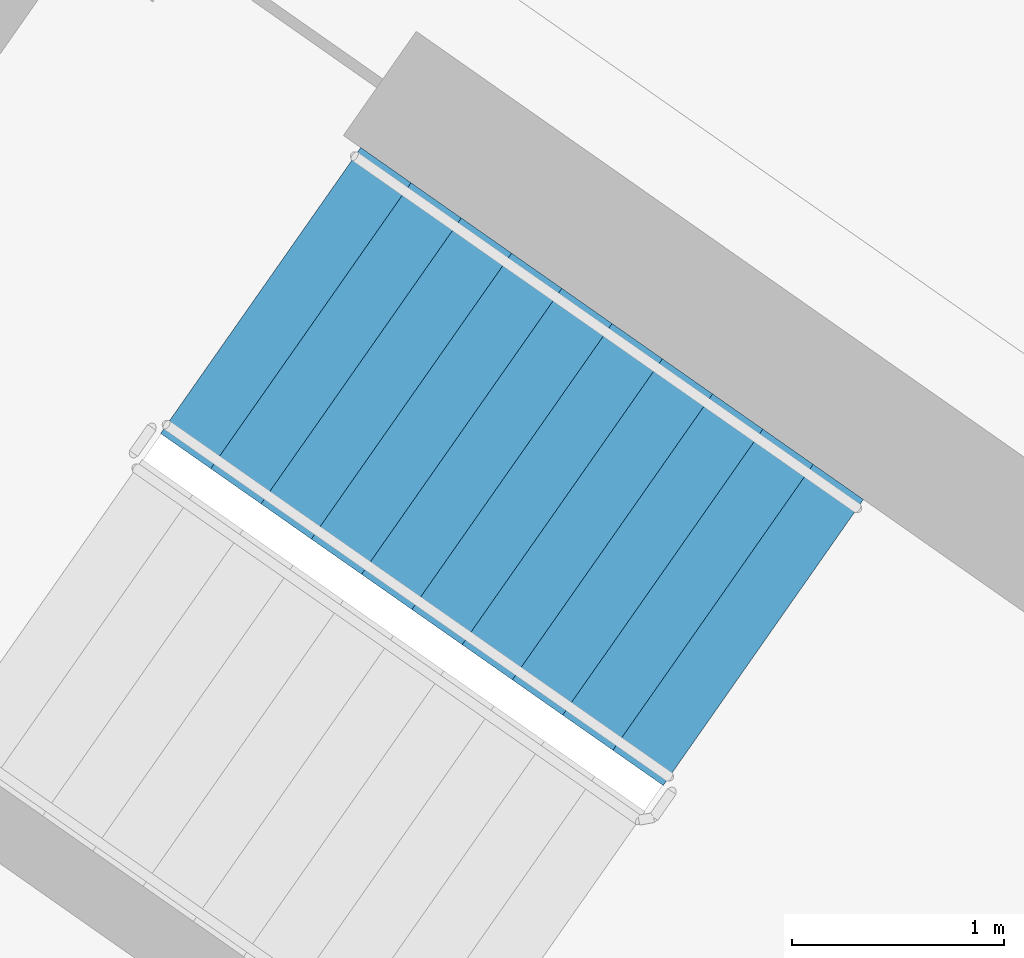
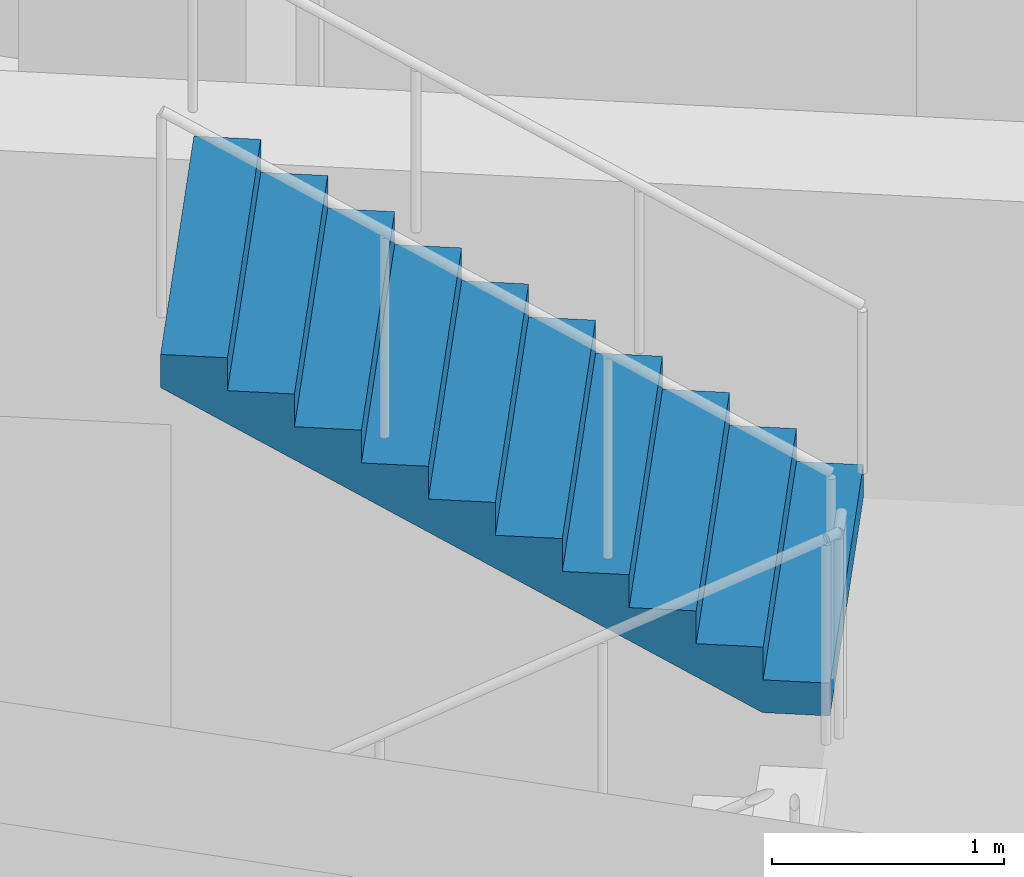
# One storey, part 11 of 30: 1 stair flight, 1 element without a shape of its own.
"""IFC4 building model written with IfcOpenShell, lengths in metres."""

from ifc_helpers import new_model, si_unit, direction, frame, origin, place, context, subcontext, project, spatial, faceted_brep, material, type_object, element, aggregate, save


model = new_model("IFC4")

# Units and contexts
model_context = context("Model", 3, precision=1e-05, world=origin(), true_north=direction((0.0, 1.0)))
body_context = subcontext(model_context, "Body", "Model", "MODEL_VIEW")
ifc_project = project(units=[si_unit("LENGTHUNIT", "METRE"), si_unit("AREAUNIT", "SQUARE_METRE"), si_unit("VOLUMEUNIT", "CUBIC_METRE"), si_unit("PLANEANGLEUNIT", "RADIAN"), si_unit("MASSUNIT", "GRAM", prefix="KILO")], contexts=[model_context])

# Site, building, storey
site_placement = place(None, origin())
site = spatial("IfcSite", under=ifc_project, at=site_placement, CompositionType="ELEMENT")
building_placement = place(site_placement, origin())
building = spatial("IfcBuilding", under=site, at=building_placement, Name="Qamariyya Broadcast Tower", CompositionType="ELEMENT")
storey_placement = place(building_placement, frame((0.0, 0.0, 203.699951171875)))
storey = spatial("IfcBuildingStorey", under=building, at=storey_placement, Name="L48", CompositionType="ELEMENT", Elevation=203.699951171875)

# Stair, stair flight
ifc_material = material(Name="Concrete C50/60", Category="concrete")
stair_type = type_object("IfcStairType", Name="Exit stair 22 risers of 173 mm", PredefinedType="HALF_TURN_STAIR", material=ifc_material)
stair_placement = place(storey_placement, origin())
stair = element("IfcStair", 1, at=stair_placement, inside=storey, type_object=stair_type, Name="L48 Stair W2", PredefinedType="HALF_TURN_STAIR")
stair_flight_type = type_object("IfcStairFlightType", Name="Exit stair flight 11 risers of 173 mm", PredefinedType="STRAIGHT", material=ifc_material)
stair_flight_placement = place(storey_placement, frame((-38.18310546875, -49.3486328125, 1.900146484375), z_axis=(0.0, 0.0, 1.0), x_axis=(-0.819152044289, 0.573576436351, 0.0)))
stair_flight = element("IfcStairFlight", 2, at=stair_flight_placement, type_object=stair_flight_type, Name="ST-W2 flight 2", NumberOfRisers=11, NumberOfTreads=10, PredefinedType="STRAIGHT", RiserHeight=0.172727273, TreadLength=0.29, context=body_context, shape_type="Brep", body=[
    faceted_brep([(0.0, 0.824951171875, 0.0), (0.0, 0.824951171875, 0.172607421875), (0.2900390625, 0.824951171875, 0.172607421875), (0.2900390625, 0.824951171875, 0.345458984375), (0.580078125, 0.824951171875, 0.345458984375), (0.580078125, 0.824951171875, 0.51806640625), (0.8701171875, 0.824951171875, 0.51806640625), (0.8701171875, 0.824951171875, 0.69091796875), (1.159912109375, 0.824951171875, 0.69091796875), (1.159912109375, 0.824951171875, 0.863525390625), (1.449951171875, 0.824951171875, 0.863525390625), (1.449951171875, 0.824951171875, 1.036376953125), (1.739990234375, 0.824951171875, 1.036376953125), (1.739990234375, 0.824951171875, 1.208984375), (2.030029296875, 0.824951171875, 1.208984375), (2.030029296875, 0.824951171875, 1.3818359375), (2.320068359375, 0.824951171875, 1.3818359375), (2.320068359375, 0.824951171875, 1.554443359375), (2.610107421875, 0.824951171875, 1.554443359375), (2.610107421875, 0.824951171875, 1.727294921875), (2.89990234375, 0.824951171875, 1.727294921875), (2.89990234375, 0.824951171875, 1.552734375), (0.29296875, 0.824951171875, 0.0), (0.29296875, -0.824951171875, 0.0), (2.89990234375, -0.824951171875, 1.552734375), (2.89990234375, -0.824951171875, 1.727294921875), (2.610107421875, -0.824951171875, 1.727294921875), (2.610107421875, -0.824951171875, 1.554443359375), (2.320068359375, -0.824951171875, 1.554443359375), (2.320068359375, -0.824951171875, 1.3818359375), (2.030029296875, -0.824951171875, 1.3818359375), (2.030029296875, -0.824951171875, 1.208984375), (1.739990234375, -0.824951171875, 1.208984375), (1.739990234375, -0.824951171875, 1.036376953125), (1.449951171875, -0.824951171875, 1.036376953125), (1.449951171875, -0.824951171875, 0.863525390625), (1.159912109375, -0.824951171875, 0.863525390625), (1.159912109375, -0.824951171875, 0.69091796875), (0.8701171875, -0.824951171875, 0.69091796875), (0.8701171875, -0.824951171875, 0.51806640625), (0.580078125, -0.824951171875, 0.51806640625), (0.580078125, -0.824951171875, 0.345458984375), (0.2900390625, -0.824951171875, 0.345458984375), (0.2900390625, -0.824951171875, 0.172607421875), (0.0, -0.824951171875, 0.172607421875), (0.0, -0.824951171875, 0.0), (0.0, 0.10009765625, 0.0), (0.0, 0.086669921875, 0.0), (0.0, 0.0732421875, 0.0), (0.0, 0.06005859375, 0.0), (0.0, 0.046630859375, 0.0), (0.0, 0.033447265625, 0.0), (0.0, 0.02001953125, 0.0), (0.0, 0.006591796875, 0.0), (0.0, -0.006591796875, 0.0), (0.0, -0.02001953125, 0.0), (0.0, -0.033447265625, 0.0), (0.0, -0.046630859375, 0.0), (0.0, -0.06005859375, 0.0), (0.0, -0.0732421875, 0.0), (0.0, -0.086669921875, 0.0), (0.0, -0.10009765625, 0.0), (0.0, -0.10009765625, 0.172607421875), (0.0, -0.086669921875, 0.172607421875), (0.0, -0.0732421875, 0.172607421875), (0.0, -0.06005859375, 0.172607421875), (0.0, -0.046630859375, 0.172607421875), (0.0, -0.033447265625, 0.172607421875), (0.0, -0.02001953125, 0.172607421875), (0.0, -0.006591796875, 0.172607421875), (0.0, 0.006591796875, 0.172607421875), (0.0, 0.02001953125, 0.172607421875), (0.0, 0.033447265625, 0.172607421875), (0.0, 0.046630859375, 0.172607421875), (0.0, 0.06005859375, 0.172607421875), (0.0, 0.0732421875, 0.172607421875), (0.0, 0.086669921875, 0.172607421875), (0.0, 0.10009765625, 0.172607421875), (0.2900390625, -0.10009765625, 0.172607421875), (0.2900390625, -0.086669921875, 0.172607421875), (0.2900390625, -0.0732421875, 0.172607421875), (0.2900390625, -0.06005859375, 0.172607421875), (0.2900390625, -0.046630859375, 0.172607421875), (0.2900390625, -0.033447265625, 0.172607421875), (0.2900390625, -0.02001953125, 0.172607421875), (0.2900390625, -0.006591796875, 0.172607421875), (0.2900390625, 0.006591796875, 0.172607421875), (0.2900390625, 0.02001953125, 0.172607421875), (0.2900390625, 0.033447265625, 0.172607421875), (0.2900390625, 0.046630859375, 0.172607421875), (0.2900390625, 0.06005859375, 0.172607421875), (0.2900390625, 0.0732421875, 0.172607421875), (0.2900390625, 0.086669921875, 0.172607421875), (0.2900390625, 0.10009765625, 0.172607421875), (0.2900390625, -0.10009765625, 0.345458984375), (0.2900390625, -0.086669921875, 0.345458984375), (0.2900390625, -0.0732421875, 0.345458984375), (0.2900390625, -0.06005859375, 0.345458984375), (0.2900390625, -0.046630859375, 0.345458984375), (0.2900390625, -0.033447265625, 0.345458984375), (0.2900390625, -0.02001953125, 0.345458984375), (0.2900390625, -0.006591796875, 0.345458984375), (0.2900390625, 0.006591796875, 0.345458984375), (0.2900390625, 0.02001953125, 0.345458984375), (0.2900390625, 0.033447265625, 0.345458984375), (0.2900390625, 0.046630859375, 0.345458984375), (0.2900390625, 0.06005859375, 0.345458984375), (0.2900390625, 0.0732421875, 0.345458984375), (0.2900390625, 0.086669921875, 0.345458984375), (0.2900390625, 0.10009765625, 0.345458984375), (0.580078125, -0.10009765625, 0.345458984375), (0.580078125, -0.086669921875, 0.345458984375), (0.580078125, -0.0732421875, 0.345458984375), (0.580078125, -0.06005859375, 0.345458984375), (0.580078125, -0.046630859375, 0.345458984375), (0.580078125, -0.033447265625, 0.345458984375), (0.580078125, -0.02001953125, 0.345458984375), (0.580078125, -0.006591796875, 0.345458984375), (0.580078125, 0.006591796875, 0.345458984375), (0.580078125, 0.02001953125, 0.345458984375), (0.580078125, 0.033447265625, 0.345458984375), (0.580078125, 0.046630859375, 0.345458984375), (0.580078125, 0.06005859375, 0.345458984375), (0.580078125, 0.0732421875, 0.345458984375), (0.580078125, 0.086669921875, 0.345458984375), (0.580078125, 0.10009765625, 0.345458984375), (0.580078125, -0.10009765625, 0.51806640625), (0.580078125, -0.086669921875, 0.51806640625), (0.580078125, -0.0732421875, 0.51806640625), (0.580078125, -0.06005859375, 0.51806640625), (0.580078125, -0.046630859375, 0.51806640625), (0.580078125, -0.033447265625, 0.51806640625), (0.580078125, -0.02001953125, 0.51806640625), (0.580078125, -0.006591796875, 0.51806640625), (0.580078125, 0.006591796875, 0.51806640625), (0.580078125, 0.02001953125, 0.51806640625), (0.580078125, 0.033447265625, 0.51806640625), (0.580078125, 0.046630859375, 0.51806640625), (0.580078125, 0.06005859375, 0.51806640625), (0.580078125, 0.0732421875, 0.51806640625), (0.580078125, 0.086669921875, 0.51806640625), (0.580078125, 0.10009765625, 0.51806640625), (0.8701171875, -0.10009765625, 0.51806640625), (0.8701171875, -0.086669921875, 0.51806640625), (0.8701171875, -0.0732421875, 0.51806640625), (0.8701171875, -0.06005859375, 0.51806640625), (0.8701171875, -0.046630859375, 0.51806640625), (0.8701171875, -0.033447265625, 0.51806640625), (0.8701171875, -0.02001953125, 0.51806640625), (0.8701171875, -0.006591796875, 0.51806640625), (0.8701171875, 0.006591796875, 0.51806640625), (0.8701171875, 0.02001953125, 0.51806640625), (0.8701171875, 0.033447265625, 0.51806640625), (0.8701171875, 0.046630859375, 0.51806640625), (0.8701171875, 0.06005859375, 0.51806640625), (0.8701171875, 0.0732421875, 0.51806640625), (0.8701171875, 0.086669921875, 0.51806640625), (0.8701171875, 0.10009765625, 0.51806640625), (0.8701171875, -0.10009765625, 0.69091796875), (0.8701171875, -0.086669921875, 0.69091796875), (0.8701171875, -0.0732421875, 0.69091796875), (0.8701171875, -0.06005859375, 0.69091796875), (0.8701171875, -0.046630859375, 0.69091796875), (0.8701171875, -0.033447265625, 0.69091796875), (0.8701171875, -0.02001953125, 0.69091796875), (0.8701171875, -0.006591796875, 0.69091796875), (0.8701171875, 0.006591796875, 0.69091796875), (0.8701171875, 0.02001953125, 0.69091796875), (0.8701171875, 0.033447265625, 0.69091796875), (0.8701171875, 0.046630859375, 0.69091796875), (0.8701171875, 0.06005859375, 0.69091796875), (0.8701171875, 0.0732421875, 0.69091796875), (0.8701171875, 0.086669921875, 0.69091796875), (0.8701171875, 0.10009765625, 0.69091796875), (1.159912109375, -0.10009765625, 0.69091796875), (1.159912109375, -0.086669921875, 0.69091796875), (1.159912109375, -0.0732421875, 0.69091796875), (1.159912109375, -0.06005859375, 0.69091796875), (1.159912109375, -0.046630859375, 0.69091796875), (1.159912109375, -0.033447265625, 0.69091796875), (1.159912109375, -0.02001953125, 0.69091796875), (1.159912109375, -0.006591796875, 0.69091796875), (1.159912109375, 0.006591796875, 0.69091796875), (1.159912109375, 0.02001953125, 0.69091796875), (1.159912109375, 0.033447265625, 0.69091796875), (1.159912109375, 0.046630859375, 0.69091796875), (1.159912109375, 0.06005859375, 0.69091796875), (1.159912109375, 0.0732421875, 0.69091796875), (1.159912109375, 0.086669921875, 0.69091796875), (1.159912109375, 0.10009765625, 0.69091796875), (1.159912109375, -0.10009765625, 0.863525390625), (1.159912109375, -0.086669921875, 0.863525390625), (1.159912109375, -0.0732421875, 0.863525390625), (1.159912109375, -0.06005859375, 0.863525390625), (1.159912109375, -0.046630859375, 0.863525390625), (1.159912109375, -0.033447265625, 0.863525390625), (1.159912109375, -0.02001953125, 0.863525390625), (1.159912109375, -0.006591796875, 0.863525390625), (1.159912109375, 0.006591796875, 0.863525390625), (1.159912109375, 0.02001953125, 0.863525390625), (1.159912109375, 0.033447265625, 0.863525390625), (1.159912109375, 0.046630859375, 0.863525390625), (1.159912109375, 0.06005859375, 0.863525390625), (1.159912109375, 0.0732421875, 0.863525390625), (1.159912109375, 0.086669921875, 0.863525390625), (1.159912109375, 0.10009765625, 0.863525390625), (1.449951171875, -0.10009765625, 0.863525390625), (1.449951171875, -0.086669921875, 0.863525390625), (1.449951171875, -0.0732421875, 0.863525390625), (1.449951171875, -0.06005859375, 0.863525390625), (1.449951171875, -0.046630859375, 0.863525390625), (1.449951171875, -0.033447265625, 0.863525390625), (1.449951171875, -0.02001953125, 0.863525390625), (1.449951171875, -0.006591796875, 0.863525390625), (1.449951171875, 0.006591796875, 0.863525390625), (1.449951171875, 0.02001953125, 0.863525390625), (1.449951171875, 0.033447265625, 0.863525390625), (1.449951171875, 0.046630859375, 0.863525390625), (1.449951171875, 0.06005859375, 0.863525390625), (1.449951171875, 0.0732421875, 0.863525390625), (1.449951171875, 0.086669921875, 0.863525390625), (1.449951171875, 0.10009765625, 0.863525390625), (1.449951171875, -0.10009765625, 1.036376953125), (1.449951171875, -0.086669921875, 1.036376953125), (1.449951171875, -0.0732421875, 1.036376953125), (1.449951171875, -0.06005859375, 1.036376953125), (1.449951171875, -0.046630859375, 1.036376953125), (1.449951171875, -0.033447265625, 1.036376953125), (1.449951171875, -0.02001953125, 1.036376953125), (1.449951171875, -0.006591796875, 1.036376953125), (1.449951171875, 0.006591796875, 1.036376953125), (1.449951171875, 0.02001953125, 1.036376953125), (1.449951171875, 0.033447265625, 1.036376953125), (1.449951171875, 0.046630859375, 1.036376953125), (1.449951171875, 0.06005859375, 1.036376953125), (1.449951171875, 0.0732421875, 1.036376953125), (1.449951171875, 0.086669921875, 1.036376953125), (1.449951171875, 0.10009765625, 1.036376953125), (1.739990234375, -0.10009765625, 1.036376953125), (1.739990234375, -0.086669921875, 1.036376953125), (1.739990234375, -0.0732421875, 1.036376953125), (1.739990234375, -0.06005859375, 1.036376953125), (1.739990234375, -0.046630859375, 1.036376953125), (1.739990234375, -0.033447265625, 1.036376953125), (1.739990234375, -0.02001953125, 1.036376953125), (1.739990234375, -0.006591796875, 1.036376953125), (1.739990234375, 0.006591796875, 1.036376953125), (1.739990234375, 0.02001953125, 1.036376953125), (1.739990234375, 0.033447265625, 1.036376953125), (1.739990234375, 0.046630859375, 1.036376953125), (1.739990234375, 0.06005859375, 1.036376953125), (1.739990234375, 0.0732421875, 1.036376953125), (1.739990234375, 0.086669921875, 1.036376953125), (1.739990234375, 0.10009765625, 1.036376953125), (1.739990234375, -0.10009765625, 1.208984375), (1.739990234375, -0.086669921875, 1.208984375), (1.739990234375, -0.0732421875, 1.208984375), (1.739990234375, -0.06005859375, 1.208984375), (1.739990234375, -0.046630859375, 1.208984375), (1.739990234375, -0.033447265625, 1.208984375), (1.739990234375, -0.02001953125, 1.208984375), (1.739990234375, -0.006591796875, 1.208984375), (1.739990234375, 0.006591796875, 1.208984375), (1.739990234375, 0.02001953125, 1.208984375), (1.739990234375, 0.033447265625, 1.208984375), (1.739990234375, 0.046630859375, 1.208984375), (1.739990234375, 0.06005859375, 1.208984375), (1.739990234375, 0.0732421875, 1.208984375), (1.739990234375, 0.086669921875, 1.208984375), (1.739990234375, 0.10009765625, 1.208984375), (2.030029296875, -0.10009765625, 1.208984375), (2.030029296875, -0.086669921875, 1.208984375), (2.030029296875, -0.0732421875, 1.208984375), (2.030029296875, -0.06005859375, 1.208984375), (2.030029296875, -0.046630859375, 1.208984375), (2.030029296875, -0.033447265625, 1.208984375), (2.030029296875, -0.02001953125, 1.208984375), (2.030029296875, -0.006591796875, 1.208984375), (2.030029296875, 0.006591796875, 1.208984375), (2.030029296875, 0.02001953125, 1.208984375), (2.030029296875, 0.033447265625, 1.208984375), (2.030029296875, 0.046630859375, 1.208984375), (2.030029296875, 0.06005859375, 1.208984375), (2.030029296875, 0.0732421875, 1.208984375), (2.030029296875, 0.086669921875, 1.208984375), (2.030029296875, 0.10009765625, 1.208984375), (2.030029296875, -0.10009765625, 1.3818359375), (2.030029296875, -0.086669921875, 1.3818359375), (2.030029296875, -0.0732421875, 1.3818359375), (2.030029296875, -0.06005859375, 1.3818359375), (2.030029296875, -0.046630859375, 1.3818359375), (2.030029296875, -0.033447265625, 1.3818359375), (2.030029296875, -0.02001953125, 1.3818359375), (2.030029296875, -0.006591796875, 1.3818359375), (2.030029296875, 0.006591796875, 1.3818359375), (2.030029296875, 0.02001953125, 1.3818359375), (2.030029296875, 0.033447265625, 1.3818359375), (2.030029296875, 0.046630859375, 1.3818359375), (2.030029296875, 0.06005859375, 1.3818359375), (2.030029296875, 0.0732421875, 1.3818359375), (2.030029296875, 0.086669921875, 1.3818359375), (2.030029296875, 0.10009765625, 1.3818359375), (2.320068359375, -0.10009765625, 1.3818359375), (2.320068359375, -0.086669921875, 1.3818359375), (2.320068359375, -0.0732421875, 1.3818359375), (2.320068359375, -0.06005859375, 1.3818359375), (2.320068359375, -0.046630859375, 1.3818359375), (2.320068359375, -0.033447265625, 1.3818359375), (2.320068359375, -0.02001953125, 1.3818359375), (2.320068359375, -0.006591796875, 1.3818359375), (2.320068359375, 0.006591796875, 1.3818359375), (2.320068359375, 0.02001953125, 1.3818359375), (2.320068359375, 0.033447265625, 1.3818359375), (2.320068359375, 0.046630859375, 1.3818359375), (2.320068359375, 0.06005859375, 1.3818359375), (2.320068359375, 0.0732421875, 1.3818359375), (2.320068359375, 0.086669921875, 1.3818359375), (2.320068359375, 0.10009765625, 1.3818359375), (2.320068359375, -0.10009765625, 1.554443359375), (2.320068359375, -0.086669921875, 1.554443359375), (2.320068359375, -0.0732421875, 1.554443359375), (2.320068359375, -0.06005859375, 1.554443359375), (2.320068359375, -0.046630859375, 1.554443359375), (2.320068359375, -0.033447265625, 1.554443359375), (2.320068359375, -0.02001953125, 1.554443359375), (2.320068359375, -0.006591796875, 1.554443359375), (2.320068359375, 0.006591796875, 1.554443359375), (2.320068359375, 0.02001953125, 1.554443359375), (2.320068359375, 0.033447265625, 1.554443359375), (2.320068359375, 0.046630859375, 1.554443359375), (2.320068359375, 0.06005859375, 1.554443359375), (2.320068359375, 0.0732421875, 1.554443359375), (2.320068359375, 0.086669921875, 1.554443359375), (2.320068359375, 0.10009765625, 1.554443359375), (2.610107421875, -0.10009765625, 1.554443359375), (2.610107421875, -0.086669921875, 1.554443359375), (2.610107421875, -0.0732421875, 1.554443359375), (2.610107421875, -0.06005859375, 1.554443359375), (2.610107421875, -0.046630859375, 1.554443359375), (2.610107421875, -0.033447265625, 1.554443359375), (2.610107421875, -0.02001953125, 1.554443359375), (2.610107421875, -0.006591796875, 1.554443359375), (2.610107421875, 0.006591796875, 1.554443359375), (2.610107421875, 0.02001953125, 1.554443359375), (2.610107421875, 0.033447265625, 1.554443359375), (2.610107421875, 0.046630859375, 1.554443359375), (2.610107421875, 0.06005859375, 1.554443359375), (2.610107421875, 0.0732421875, 1.554443359375), (2.610107421875, 0.086669921875, 1.554443359375), (2.610107421875, 0.10009765625, 1.554443359375), (2.610107421875, -0.10009765625, 1.727294921875), (2.610107421875, -0.086669921875, 1.727294921875), (2.610107421875, -0.0732421875, 1.727294921875), (2.610107421875, -0.06005859375, 1.727294921875), (2.610107421875, -0.046630859375, 1.727294921875), (2.610107421875, -0.033447265625, 1.727294921875), (2.610107421875, -0.02001953125, 1.727294921875), (2.610107421875, -0.006591796875, 1.727294921875), (2.610107421875, 0.006591796875, 1.727294921875), (2.610107421875, 0.02001953125, 1.727294921875), (2.610107421875, 0.033447265625, 1.727294921875), (2.610107421875, 0.046630859375, 1.727294921875), (2.610107421875, 0.06005859375, 1.727294921875), (2.610107421875, 0.0732421875, 1.727294921875), (2.610107421875, 0.086669921875, 1.727294921875), (2.610107421875, 0.10009765625, 1.727294921875), (2.89990234375, -0.10009765625, 1.727294921875), (2.89990234375, -0.086669921875, 1.727294921875), (2.89990234375, -0.0732421875, 1.727294921875), (2.89990234375, -0.06005859375, 1.727294921875), (2.89990234375, -0.046630859375, 1.727294921875), (2.89990234375, -0.033447265625, 1.727294921875), (2.89990234375, -0.02001953125, 1.727294921875), (2.89990234375, -0.006591796875, 1.727294921875), (2.89990234375, 0.006591796875, 1.727294921875), (2.89990234375, 0.02001953125, 1.727294921875), (2.89990234375, 0.033447265625, 1.727294921875), (2.89990234375, 0.046630859375, 1.727294921875), (2.89990234375, 0.06005859375, 1.727294921875), (2.89990234375, 0.0732421875, 1.727294921875), (2.89990234375, 0.086669921875, 1.727294921875), (2.89990234375, 0.10009765625, 1.727294921875), (2.89990234375, -0.10009765625, 1.552734375), (2.89990234375, -0.086669921875, 1.552734375), (2.89990234375, -0.0732421875, 1.552734375), (2.89990234375, -0.06005859375, 1.552734375), (2.89990234375, -0.046630859375, 1.552734375), (2.89990234375, -0.033447265625, 1.552734375), (2.89990234375, -0.02001953125, 1.552734375), (2.89990234375, -0.006591796875, 1.552734375), (2.89990234375, 0.006591796875, 1.552734375), (2.89990234375, 0.02001953125, 1.552734375), (2.89990234375, 0.033447265625, 1.552734375), (2.89990234375, 0.046630859375, 1.552734375), (2.89990234375, 0.06005859375, 1.552734375), (2.89990234375, 0.0732421875, 1.552734375), (2.89990234375, 0.086669921875, 1.552734375), (2.89990234375, 0.10009765625, 1.552734375), (0.29296875, -0.10009765625, 0.0), (0.29296875, -0.086669921875, 0.0), (0.29296875, -0.0732421875, 0.0), (0.29296875, -0.06005859375, 0.0), (0.29296875, -0.046630859375, 0.0), (0.29296875, -0.033447265625, 0.0), (0.29296875, -0.02001953125, 0.0), (0.29296875, -0.006591796875, 0.0), (0.29296875, 0.006591796875, 0.0), (0.29296875, 0.02001953125, 0.0), (0.29296875, 0.033447265625, 0.0), (0.29296875, 0.046630859375, 0.0), (0.29296875, 0.06005859375, 0.0), (0.29296875, 0.0732421875, 0.0), (0.29296875, 0.086669921875, 0.0), (0.29296875, 0.10009765625, 0.0)], [[[0, 1, 2, 3, 4, 5, 6, 7, 8, 9, 10, 11, 12, 13, 14, 15, 16, 17, 18, 19, 20, 21, 22]], [[23, 24, 25, 26, 27, 28, 29, 30, 31, 32, 33, 34, 35, 36, 37, 38, 39, 40, 41, 42, 43, 44, 45]], [[0, 46, 47, 48, 49, 50, 51, 52, 53, 54, 55, 56, 57, 58, 59, 60, 61, 45, 44, 62, 63, 64, 65, 66, 67, 68, 69, 70, 71, 72, 73, 74, 75, 76, 77, 1]], [[1, 77, 76, 75, 74, 73, 72, 71, 70, 69, 68, 67, 66, 65, 64, 63, 62, 44, 43, 78, 79, 80, 81, 82, 83, 84, 85, 86, 87, 88, 89, 90, 91, 92, 93, 2]], [[2, 93, 92, 91, 90, 89, 88, 87, 86, 85, 84, 83, 82, 81, 80, 79, 78, 43, 42, 94, 95, 96, 97, 98, 99, 100, 101, 102, 103, 104, 105, 106, 107, 108, 109, 3]], [[3, 109, 108, 107, 106, 105, 104, 103, 102, 101, 100, 99, 98, 97, 96, 95, 94, 42, 41, 110, 111, 112, 113, 114, 115, 116, 117, 118, 119, 120, 121, 122, 123, 124, 125, 4]], [[4, 125, 124, 123, 122, 121, 120, 119, 118, 117, 116, 115, 114, 113, 112, 111, 110, 41, 40, 126, 127, 128, 129, 130, 131, 132, 133, 134, 135, 136, 137, 138, 139, 140, 141, 5]], [[5, 141, 140, 139, 138, 137, 136, 135, 134, 133, 132, 131, 130, 129, 128, 127, 126, 40, 39, 142, 143, 144, 145, 146, 147, 148, 149, 150, 151, 152, 153, 154, 155, 156, 157, 6]], [[6, 157, 156, 155, 154, 153, 152, 151, 150, 149, 148, 147, 146, 145, 144, 143, 142, 39, 38, 158, 159, 160, 161, 162, 163, 164, 165, 166, 167, 168, 169, 170, 171, 172, 173, 7]], [[7, 173, 172, 171, 170, 169, 168, 167, 166, 165, 164, 163, 162, 161, 160, 159, 158, 38, 37, 174, 175, 176, 177, 178, 179, 180, 181, 182, 183, 184, 185, 186, 187, 188, 189, 8]], [[8, 189, 188, 187, 186, 185, 184, 183, 182, 181, 180, 179, 178, 177, 176, 175, 174, 37, 36, 190, 191, 192, 193, 194, 195, 196, 197, 198, 199, 200, 201, 202, 203, 204, 205, 9]], [[9, 205, 204, 203, 202, 201, 200, 199, 198, 197, 196, 195, 194, 193, 192, 191, 190, 36, 35, 206, 207, 208, 209, 210, 211, 212, 213, 214, 215, 216, 217, 218, 219, 220, 221, 10]], [[10, 221, 220, 219, 218, 217, 216, 215, 214, 213, 212, 211, 210, 209, 208, 207, 206, 35, 34, 222, 223, 224, 225, 226, 227, 228, 229, 230, 231, 232, 233, 234, 235, 236, 237, 11]], [[11, 237, 236, 235, 234, 233, 232, 231, 230, 229, 228, 227, 226, 225, 224, 223, 222, 34, 33, 238, 239, 240, 241, 242, 243, 244, 245, 246, 247, 248, 249, 250, 251, 252, 253, 12]], [[12, 253, 252, 251, 250, 249, 248, 247, 246, 245, 244, 243, 242, 241, 240, 239, 238, 33, 32, 254, 255, 256, 257, 258, 259, 260, 261, 262, 263, 264, 265, 266, 267, 268, 269, 13]], [[13, 269, 268, 267, 266, 265, 264, 263, 262, 261, 260, 259, 258, 257, 256, 255, 254, 32, 31, 270, 271, 272, 273, 274, 275, 276, 277, 278, 279, 280, 281, 282, 283, 284, 285, 14]], [[14, 285, 284, 283, 282, 281, 280, 279, 278, 277, 276, 275, 274, 273, 272, 271, 270, 31, 30, 286, 287, 288, 289, 290, 291, 292, 293, 294, 295, 296, 297, 298, 299, 300, 301, 15]], [[15, 301, 300, 299, 298, 297, 296, 295, 294, 293, 292, 291, 290, 289, 288, 287, 286, 30, 29, 302, 303, 304, 305, 306, 307, 308, 309, 310, 311, 312, 313, 314, 315, 316, 317, 16]], [[16, 317, 316, 315, 314, 313, 312, 311, 310, 309, 308, 307, 306, 305, 304, 303, 302, 29, 28, 318, 319, 320, 321, 322, 323, 324, 325, 326, 327, 328, 329, 330, 331, 332, 333, 17]], [[17, 333, 332, 331, 330, 329, 328, 327, 326, 325, 324, 323, 322, 321, 320, 319, 318, 28, 27, 334, 335, 336, 337, 338, 339, 340, 341, 342, 343, 344, 345, 346, 347, 348, 349, 18]], [[18, 349, 348, 347, 346, 345, 344, 343, 342, 341, 340, 339, 338, 337, 336, 335, 334, 27, 26, 350, 351, 352, 353, 354, 355, 356, 357, 358, 359, 360, 361, 362, 363, 364, 365, 19]], [[19, 365, 364, 363, 362, 361, 360, 359, 358, 357, 356, 355, 354, 353, 352, 351, 350, 26, 25, 366, 367, 368, 369, 370, 371, 372, 373, 374, 375, 376, 377, 378, 379, 380, 381, 20]], [[20, 381, 380, 379, 378, 377, 376, 375, 374, 373, 372, 371, 370, 369, 368, 367, 366, 25, 24, 382, 383, 384, 385, 386, 387, 388, 389, 390, 391, 392, 393, 394, 395, 396, 397, 21]], [[21, 397, 396, 395, 394, 393, 392, 391, 390, 389, 388, 387, 386, 385, 384, 383, 382, 24, 23, 398, 399, 400, 401, 402, 403, 404, 405, 406, 407, 408, 409, 410, 411, 412, 413, 22]], [[22, 413, 412, 411, 410, 409, 408, 407, 406, 405, 404, 403, 402, 401, 400, 399, 398, 23, 45, 61, 60, 59, 58, 57, 56, 55, 54, 53, 52, 51, 50, 49, 48, 47, 46, 0]]]),
])
aggregate(stair, [stair_flight])

save(model, "model.ifc")
